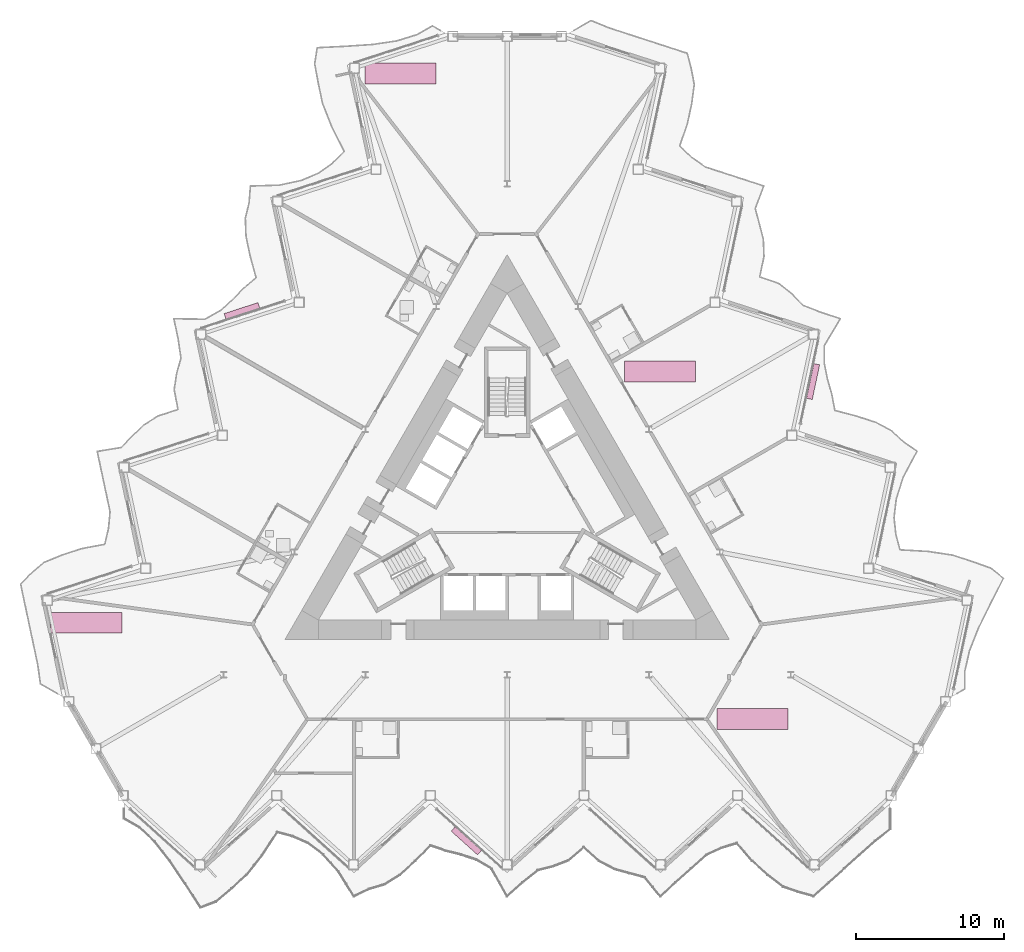
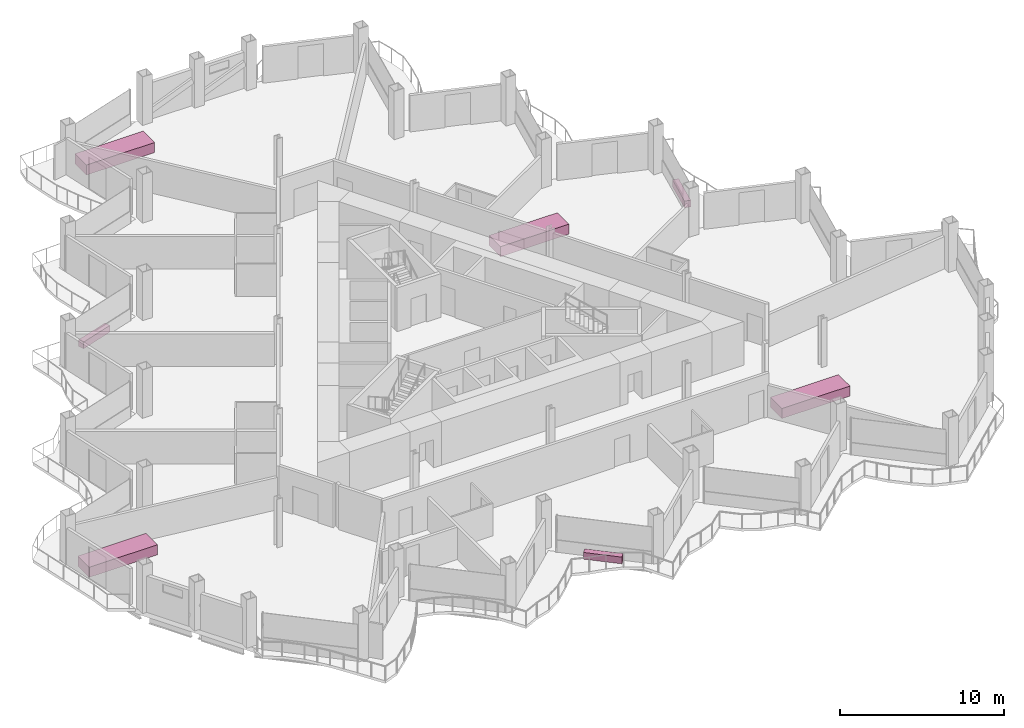
# One storey, part 23 of 23: 7 furniture elements.
"""IFC4 building model written with IfcOpenShell, lengths in metres."""

from ifc_helpers import new_model, si_unit, direction, frame, origin, origin_2d, place, context, subcontext, project, spatial, rectangle, extrude, material, type_object, element, save


model = new_model("IFC4")

# Units and contexts
model_context = context("Model", 3, precision=1e-05, world=origin(), true_north=direction((0.0, 1.0)))
body_context = subcontext(model_context, "Body", "Model", "MODEL_VIEW")
ifc_project = project(units=[si_unit("LENGTHUNIT", "METRE"), si_unit("AREAUNIT", "SQUARE_METRE"), si_unit("VOLUMEUNIT", "CUBIC_METRE"), si_unit("PLANEANGLEUNIT", "RADIAN"), si_unit("MASSUNIT", "GRAM", prefix="KILO")], contexts=[model_context])

# Site, building, storey
site_placement = place(None, origin())
site = spatial("IfcSite", under=ifc_project, at=site_placement, CompositionType="ELEMENT")
building_placement = place(site_placement, origin())
building = spatial("IfcBuilding", under=site, at=building_placement, Name="Cormorant Prow Tower", CompositionType="ELEMENT")
storey_placement = place(building_placement, frame((0.0, 0.0, 245.39990234375)))
storey = spatial("IfcBuildingStorey", under=building, at=storey_placement, Name="L54", CompositionType="ELEMENT", Elevation=245.39990234375)

# Furniture
ifc_material_1 = material(Name="Terracotta", Category="masonry")
furniture_type_1 = type_object("IfcFurnitureType", Name="Balcony planter 2400x400x500", AssemblyPlace="NOTDEFINED", PredefinedType="USERDEFINED", material=ifc_material_1)
for number, where, z_axis, x_axis, name in (
    (1, (-2.755126953125, -22.274169921875, 0.0), (0.0, 0.0, 1.0), (0.743144812176, -0.669130621132, 0.0), "Balcony planter S04"),
    (2, (20.66748046875, 8.7509765625, 0.0), (0.0, 0.0, 1.0), (0.207911667327, 0.978147605727, 0.0), "Balcony planter ENE04"),
    (3, (-17.912353515625, 13.52294921875, 0.0), (0.0, 0.0, 1.0), (-0.951056517978, -0.309016989196, 0.0), "Balcony planter WNW04"),
):
    element("IfcFurniture", number, at=place(storey_placement, frame(where, z_axis=z_axis, x_axis=x_axis)), inside=storey, type_object=furniture_type_1, Name=name, ObjectType="PLANTER", PredefinedType="USERDEFINED", context=body_context, shape_type="SweptSolid", body=[
        extrude(rectangle(XDim=2.39990234375, YDim=0.39990234375, at=origin_2d()), origin(), (0.0, 0.0, 1.0), 0.5),
    ])
ifc_material_2 = material(Name="Timber joinery", Category="wood")
furniture_type_2 = type_object("IfcFurnitureType", Name="Conference table 4800x1400", AssemblyPlace="NOTDEFINED", PredefinedType="TABLE", material=ifc_material_2)
for number, where, z_axis, x_axis, name in (
    (4, (16.561279296875, -14.04052734375, 0.0), (0.0, 0.0, 1.0), (1.0, 0.0, 0.0), "Conference table"),
    (5, (10.3203125, 9.427490234375, 0.0), (0.0, 0.0, 1.0), (1.0, 0.0, 0.0), "Conference table"),
    (6, (-7.206787109375, 29.5654296875, 0.0), (0.0, 0.0, 1.0), (1.0, 0.0, 0.0), "Conference table"),
    (7, (-28.431396484375, -7.54052734375, 0.0), (0.0, 0.0, 1.0), (1.0, 0.0, 0.0), "Conference table"),
):
    element("IfcFurniture", number, at=place(storey_placement, frame(where, z_axis=z_axis, x_axis=x_axis)), inside=storey, type_object=furniture_type_2, Name=name, PredefinedType="TABLE", context=body_context, shape_type="SweptSolid", body=[
        extrude(rectangle(XDim=4.800048828125, YDim=1.39990234375, at=origin_2d()), origin(), (0.0, 0.0, 1.0), 0.75),
    ])

save(model, "model.ifc")
